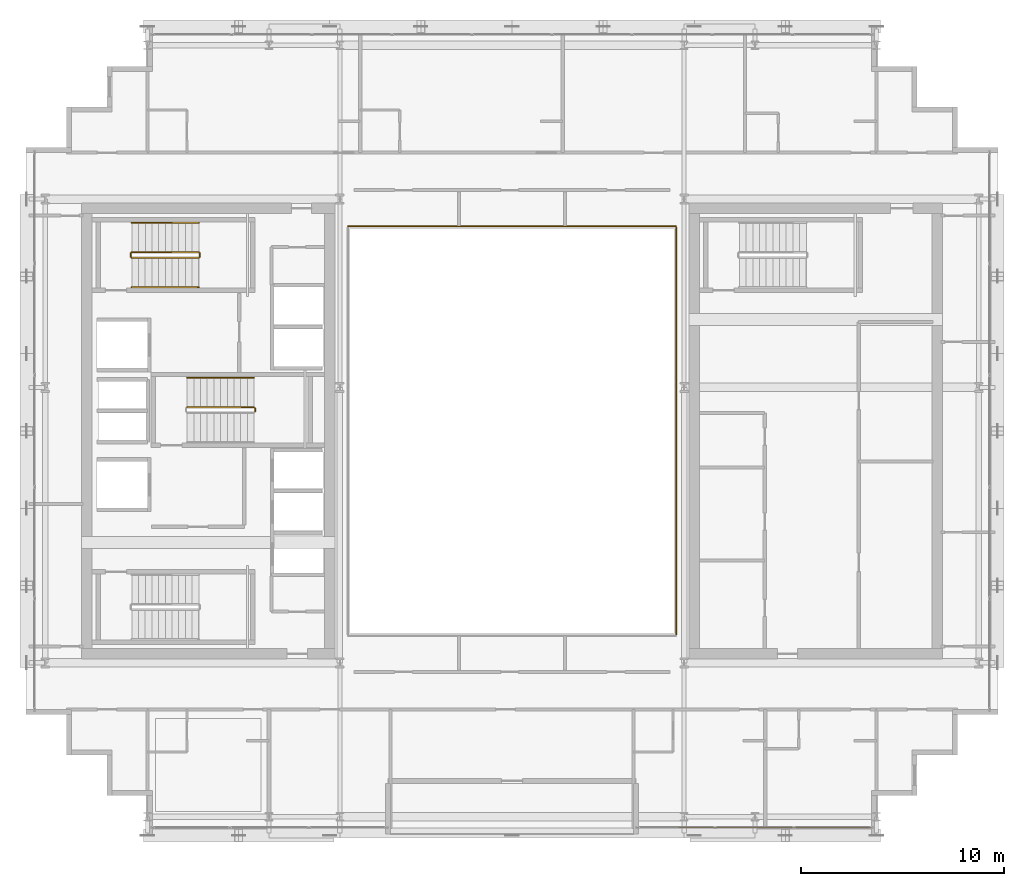
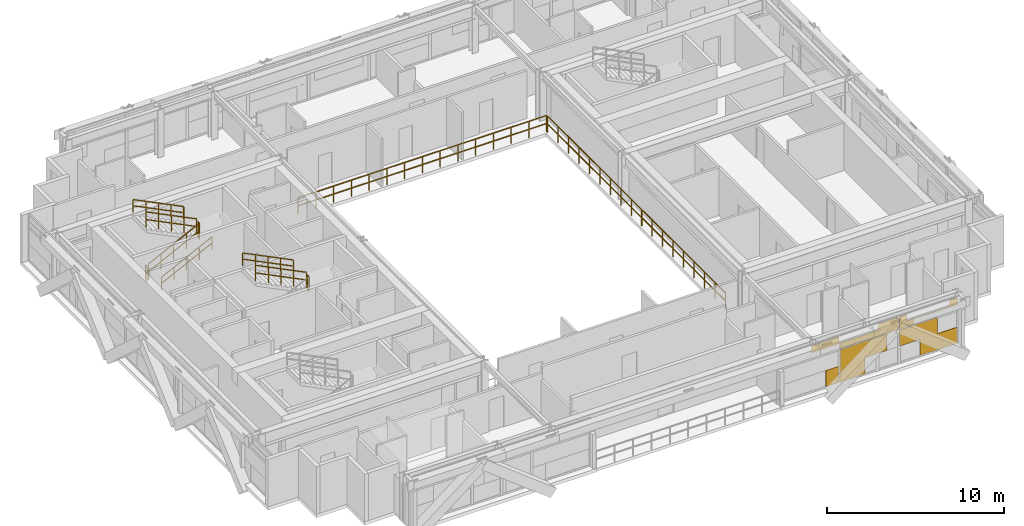
# One storey, part 30 of 32: 11 railings, 1 covering.
"""IFC4 building model written with IfcOpenShell, lengths in metres."""

from ifc_helpers import new_model, si_unit, direction, frame, origin, origin_2d, place, context, subcontext, project, spatial, rectangle, extrude, material, layer, layer_set, type_object, element, save


model = new_model("IFC4")

# Units and contexts
model_context = context("Model", 3, precision=1e-05, world=origin(), true_north=direction((0.0, 1.0)))
body_context = subcontext(model_context, "Body", "Model", "MODEL_VIEW")
ifc_project = project(units=[si_unit("LENGTHUNIT", "METRE"), si_unit("AREAUNIT", "SQUARE_METRE"), si_unit("VOLUMEUNIT", "CUBIC_METRE"), si_unit("PLANEANGLEUNIT", "RADIAN"), si_unit("MASSUNIT", "GRAM", prefix="KILO")], contexts=[model_context])

# Site, building, storey
site_placement = place(None, origin())
site = spatial("IfcSite", under=ifc_project, at=site_placement, CompositionType="ELEMENT")
building_placement = place(site_placement, origin())
building = spatial("IfcBuilding", under=site, at=building_placement, Name="Ocotamira Hotel", CompositionType="ELEMENT")
storey_placement = place(building_placement, frame((0.0, 0.0, 217.199951171875)))
storey = spatial("IfcBuildingStorey", under=building, at=storey_placement, Name="L55", CompositionType="ELEMENT", Elevation=217.199951171875)

# Covering
ifc_material_1 = material(Name="Insulated pale-metal aluminium spandrel panel", Category="aluminium")
ifc_layer = layer(ifc_material_1, 0.044921875)
ifc_layer_set = layer_set([ifc_layer], Name="Insulated pale-metal aluminium spandrel panel")
covering_type = type_object("IfcCoveringType", Name="COV-INFILL-45", PredefinedType="CLADDING", material=ifc_layer_set)
covering_placement = place(storey_placement, origin())
element("IfcCovering", 1, at=covering_placement, inside=storey, type_object=covering_type, Name="L55 Curtain Wall Infill CW-4 CW-L55-S2", PredefinedType="CLADDING", context=body_context, shape_type="SweptSolid", body=[
    extrude(rectangle(XDim=0.849853515625, YDim=0.044921875, at=origin_2d()), frame((41.56787109375, 6.419921875, 0.07568359375), z_axis=(0.0, 0.0, 1.0), x_axis=(1.0, 0.0, 0.0)), (0.0, 0.0, 1.0), 1.117919921875),
    extrude(rectangle(XDim=1.768310546875, YDim=0.044921875, at=origin_2d()), frame((41.108642578125, 6.419921875, 2.7421875), z_axis=(0.0, 0.0, 1.0), x_axis=(1.0, 0.0, 0.0)), (0.0, 0.0, 1.0), 0.46240234375),
    extrude(rectangle(XDim=1.640625, YDim=0.044921875, at=origin_2d()), frame((42.89404296875, 6.419921875, 0.07568359375), z_axis=(0.0, 0.0, 1.0), x_axis=(1.0, 0.0, 0.0)), (0.0, 0.0, 1.0), 1.117919921875),
    extrude(rectangle(XDim=3.074951171875, YDim=0.044921875, at=origin_2d()), frame((43.611328125, 6.419921875, 1.1943359375), z_axis=(0.0, 0.0, 1.0), x_axis=(1.0, 0.0, 0.0)), (0.0, 0.0, 1.0), 1.11767578125),
    extrude(rectangle(XDim=3.80224609375, YDim=0.044921875, at=origin_2d()), frame((43.97509765625, 6.419921875, 2.38818359375), z_axis=(0.0, 0.0, 1.0), x_axis=(1.0, 0.0, 0.0)), (0.0, 0.0, 1.0), 0.380859375),
    extrude(rectangle(XDim=1.27880859375, YDim=0.044921875, at=origin_2d()), frame((45.23681640625, 6.419921875, 2.77001953125), z_axis=(0.0, 0.0, 1.0), x_axis=(1.0, 0.0, 0.0)), (0.0, 0.0, 1.0), 0.4345703125),
    extrude(rectangle(XDim=2.465576171875, YDim=0.044921875, at=origin_2d()), frame((47.18994140625, 6.419921875, 1.1943359375), z_axis=(0.0, 0.0, 1.0), x_axis=(1.0, 0.0, 0.0)), (0.0, 0.0, 1.0), 1.11767578125),
    extrude(rectangle(XDim=2.433837890625, YDim=0.044921875, at=origin_2d()), frame((48.50244140625, 6.419921875, 0.07568359375), z_axis=(0.0, 0.0, 1.0), x_axis=(1.0, 0.0, 0.0)), (0.0, 0.0, 1.0), 1.117919921875),
    extrude(rectangle(XDim=0.93505859375, YDim=0.044921875, at=origin_2d()), frame((46.4248046875, 6.419921875, 2.38818359375), z_axis=(0.0, 0.0, 1.0), x_axis=(1.0, 0.0, 0.0)), (0.0, 0.0, 1.0), 0.35302734375),
    extrude(rectangle(XDim=3.76220703125, YDim=0.044921875, at=origin_2d()), frame((47.83837890625, 6.419921875, 2.7421875), z_axis=(0.0, 0.0, 1.0), x_axis=(1.0, 0.0, 0.0)), (0.0, 0.0, 1.0), 0.02685546875),
    extrude(rectangle(XDim=0.445556640625, YDim=0.044921875, at=origin_2d()), frame((46.179931640625, 6.419921875, 2.77001953125), z_axis=(0.0, 0.0, 1.0), x_axis=(1.0, 0.0, 0.0)), (0.0, 0.0, 1.0), 0.4345703125),
    extrude(rectangle(XDim=0.494873046875, YDim=0.044921875, at=origin_2d()), frame((49.471923828125, 6.419921875, 2.77001953125), z_axis=(0.0, 0.0, 1.0), x_axis=(1.0, 0.0, 0.0)), (0.0, 0.0, 1.0), 0.4345703125),
])

# Railings
ifc_material_2 = material(Name="Painted steel stair guardrail", Category="steel")
railing_type_1 = type_object("IfcRailingType", Name="RL-EDGE-1150", PredefinedType="GUARDRAIL", material=ifc_material_2)
railing_1_placement = place(storey_placement, frame((40.1201171875, 15.9599609375, 0.0)))
element("IfcRailing", 2, at=railing_1_placement, inside=storey, type_object=railing_type_1, Name="L55 Central Atrium Edge Guardrail E", PredefinedType="GUARDRAIL", context=body_context, shape_type="SweptSolid", body=[
    extrude(rectangle(XDim=0.048095703125, YDim=0.048095703125, at=origin_2d()), frame((0.0, 0.0, 1.1259765625), z_axis=(0.0, 1.0, 0.0), x_axis=(-1.0, 0.0, 0.0)), (0.0, 0.0, 1.0), 20.080078125),
    extrude(rectangle(XDim=0.048095703125, YDim=0.048095703125, at=origin_2d()), frame((0.0, 0.0, 0.574951171875), z_axis=(0.0, 1.0, 0.0), x_axis=(-1.0, 0.0, 0.0)), (0.0, 0.0, 1.0), 20.080078125),
    extrude(rectangle(XDim=0.0419921875, YDim=0.0419921875, at=origin_2d()), origin(), (0.0, 0.0, 1.0), 1.101806640625),
    extrude(rectangle(XDim=0.0419921875, YDim=0.0419921875, at=origin_2d()), frame((0.0, 1.18115234375, 0.0)), (0.0, 0.0, 1.0), 1.101806640625),
    extrude(rectangle(XDim=0.0419921875, YDim=0.0419921875, at=origin_2d()), frame((0.0, 2.3623046875, 0.0)), (0.0, 0.0, 1.0), 1.101806640625),
    extrude(rectangle(XDim=0.0419921875, YDim=0.0419921875, at=origin_2d()), frame((0.0, 3.54345703125, 0.0)), (0.0, 0.0, 1.0), 1.101806640625),
    extrude(rectangle(XDim=0.0419921875, YDim=0.0419921875, at=origin_2d()), frame((0.0, 4.724609375, 0.0)), (0.0, 0.0, 1.0), 1.101806640625),
    extrude(rectangle(XDim=0.0419921875, YDim=0.0419921875, at=origin_2d()), frame((0.0, 5.906005859375, 0.0)), (0.0, 0.0, 1.0), 1.101806640625),
    extrude(rectangle(XDim=0.0419921875, YDim=0.0419921875, at=origin_2d()), frame((0.0, 7.087158203125, 0.0)), (0.0, 0.0, 1.0), 1.101806640625),
    extrude(rectangle(XDim=0.0419921875, YDim=0.0419921875, at=origin_2d()), frame((0.0, 8.268310546875, 0.0)), (0.0, 0.0, 1.0), 1.101806640625),
    extrude(rectangle(XDim=0.0419921875, YDim=0.0419921875, at=origin_2d()), frame((0.0, 9.449462890625, 0.0)), (0.0, 0.0, 1.0), 1.101806640625),
    extrude(rectangle(XDim=0.0419921875, YDim=0.0419921875, at=origin_2d()), frame((0.0, 10.630615234375, 0.0)), (0.0, 0.0, 1.0), 1.101806640625),
    extrude(rectangle(XDim=0.0419921875, YDim=0.0419921875, at=origin_2d()), frame((0.0, 11.811767578125, 0.0)), (0.0, 0.0, 1.0), 1.101806640625),
    extrude(rectangle(XDim=0.0419921875, YDim=0.0419921875, at=origin_2d()), frame((0.0, 12.992919921875, 0.0)), (0.0, 0.0, 1.0), 1.101806640625),
    extrude(rectangle(XDim=0.0419921875, YDim=0.0419921875, at=origin_2d()), frame((0.0, 14.174072265625, 0.0)), (0.0, 0.0, 1.0), 1.101806640625),
    extrude(rectangle(XDim=0.0419921875, YDim=0.0419921875, at=origin_2d()), frame((0.0, 15.35546875, 0.0)), (0.0, 0.0, 1.0), 1.101806640625),
    extrude(rectangle(XDim=0.0419921875, YDim=0.0419921875, at=origin_2d()), frame((0.0, 16.53662109375, 0.0)), (0.0, 0.0, 1.0), 1.101806640625),
    extrude(rectangle(XDim=0.0419921875, YDim=0.0419921875, at=origin_2d()), frame((0.0, 17.7177734375, 0.0)), (0.0, 0.0, 1.0), 1.101806640625),
    extrude(rectangle(XDim=0.0419921875, YDim=0.0419921875, at=origin_2d()), frame((0.0, 18.89892578125, 0.0)), (0.0, 0.0, 1.0), 1.101806640625),
    extrude(rectangle(XDim=0.0419921875, YDim=0.0419921875, at=origin_2d()), frame((0.0, 20.080078125, 0.0)), (0.0, 0.0, 1.0), 1.101806640625),
])
railing_2_placement = place(storey_placement, frame((40.10009765625, 36.1201171875, 0.0)))
element("IfcRailing", 3, at=railing_2_placement, inside=storey, type_object=railing_type_1, Name="L55 Central Atrium Edge Guardrail N", PredefinedType="GUARDRAIL", context=body_context, shape_type="SweptSolid", body=[
    extrude(rectangle(XDim=0.048095703125, YDim=0.048095703125, at=origin_2d()), frame((0.0, 0.0, 1.1259765625), z_axis=(-1.0, 0.0, 0.0), x_axis=(0.0, -1.0, 0.0)), (0.0, 0.0, 1.0), 16.2001953125),
    extrude(rectangle(XDim=0.048095703125, YDim=0.048095703125, at=origin_2d()), frame((0.0, 0.0, 0.574951171875), z_axis=(-1.0, 0.0, 0.0), x_axis=(0.0, -1.0, 0.0)), (0.0, 0.0, 1.0), 16.2001953125),
    extrude(rectangle(XDim=0.0419921875, YDim=0.0419921875, at=origin_2d()), origin(), (0.0, 0.0, 1.0), 1.101806640625),
    extrude(rectangle(XDim=0.0419921875, YDim=0.0419921875, at=origin_2d()), frame((-1.1572265625, 0.0, 0.0)), (0.0, 0.0, 1.0), 1.101806640625),
    extrude(rectangle(XDim=0.0419921875, YDim=0.0419921875, at=origin_2d()), frame((-2.314208984375, 0.0, 0.0)), (0.0, 0.0, 1.0), 1.101806640625),
    extrude(rectangle(XDim=0.0419921875, YDim=0.0419921875, at=origin_2d()), frame((-3.471435546875, 0.0, 0.0)), (0.0, 0.0, 1.0), 1.101806640625),
    extrude(rectangle(XDim=0.0419921875, YDim=0.0419921875, at=origin_2d()), frame((-4.628662109375, 0.0, 0.0)), (0.0, 0.0, 1.0), 1.101806640625),
    extrude(rectangle(XDim=0.0419921875, YDim=0.0419921875, at=origin_2d()), frame((-5.785888671875, 0.0, 0.0)), (0.0, 0.0, 1.0), 1.101806640625),
    extrude(rectangle(XDim=0.0419921875, YDim=0.0419921875, at=origin_2d()), frame((-6.94287109375, 0.0, 0.0)), (0.0, 0.0, 1.0), 1.101806640625),
    extrude(rectangle(XDim=0.0419921875, YDim=0.0419921875, at=origin_2d()), frame((-8.10009765625, 0.0, 0.0)), (0.0, 0.0, 1.0), 1.101806640625),
    extrude(rectangle(XDim=0.0419921875, YDim=0.0419921875, at=origin_2d()), frame((-9.25732421875, 0.0, 0.0)), (0.0, 0.0, 1.0), 1.101806640625),
    extrude(rectangle(XDim=0.0419921875, YDim=0.0419921875, at=origin_2d()), frame((-10.414306640625, 0.0, 0.0)), (0.0, 0.0, 1.0), 1.101806640625),
    extrude(rectangle(XDim=0.0419921875, YDim=0.0419921875, at=origin_2d()), frame((-11.571533203125, 0.0, 0.0)), (0.0, 0.0, 1.0), 1.101806640625),
    extrude(rectangle(XDim=0.0419921875, YDim=0.0419921875, at=origin_2d()), frame((-12.728759765625, 0.0, 0.0)), (0.0, 0.0, 1.0), 1.101806640625),
    extrude(rectangle(XDim=0.0419921875, YDim=0.0419921875, at=origin_2d()), frame((-13.885986328125, 0.0, 0.0)), (0.0, 0.0, 1.0), 1.101806640625),
    extrude(rectangle(XDim=0.0419921875, YDim=0.0419921875, at=origin_2d()), frame((-15.04296875, 0.0, 0.0)), (0.0, 0.0, 1.0), 1.101806640625),
    extrude(rectangle(XDim=0.0419921875, YDim=0.0419921875, at=origin_2d()), frame((-16.2001953125, 0.0, 0.0)), (0.0, 0.0, 1.0), 1.101806640625),
])
ifc_material_3 = material(Name="Brushed stainless steel handrail", Category="steel")
railing_type_2 = type_object("IfcRailingType", Name="RL-HAND-900", PredefinedType="HANDRAIL", material=ifc_material_3)
railing_3_placement = place(storey_placement, frame((13.22998046875, 33.10009765625, 0.327392578125)))
element("IfcRailing", 4, at=railing_3_placement, inside=storey, type_object=railing_type_2, Name="L55 ST-2 stair handrail 1", PredefinedType="HANDRAIL", context=body_context, shape_type="SweptSolid", body=[
    extrude(rectangle(XDim=0.048095703125, YDim=0.048095703125, at=origin_2d()), frame((0.0, 0.0, 0.8759765625), z_axis=(0.895920123917, 0.0, 0.444215186098), x_axis=(0.0, 1.0, 0.0)), (0.0, 0.0, 1.0), 3.683349609375),
    extrude(rectangle(XDim=0.048095703125, YDim=0.048095703125, at=origin_2d()), frame((0.0, 0.0, 0.449951171875), z_axis=(0.895920123917, 0.0, 0.444215186098), x_axis=(0.0, 1.0, 0.0)), (0.0, 0.0, 1.0), 3.683349609375),
    extrude(rectangle(XDim=0.0419921875, YDim=0.0419921875, at=origin_2d()), origin(), (0.0, 0.0, 1.0), 0.851806640625),
    extrude(rectangle(XDim=0.0419921875, YDim=0.0419921875, at=origin_2d()), frame((0.824951171875, 0.0, 0.4091796875)), (0.0, 0.0, 1.0), 0.851806640625),
    extrude(rectangle(XDim=0.0419921875, YDim=0.0419921875, at=origin_2d()), frame((1.64990234375, 0.0, 0.818115234375)), (0.0, 0.0, 1.0), 0.851806640625),
    extrude(rectangle(XDim=0.0419921875, YDim=0.0419921875, at=origin_2d()), frame((2.47509765625, 0.0, 1.22705078125)), (0.0, 0.0, 1.0), 0.851806640625),
    extrude(rectangle(XDim=0.0419921875, YDim=0.0419921875, at=origin_2d()), frame((3.300048828125, 0.0, 1.63623046875)), (0.0, 0.0, 1.0), 0.851806640625),
])
for number, where, name in (
    (5, (16.530029296875, 36.280029296875, 2.12744140625), "L55 ST-2 stair handrail 2"),
    (6, (19.260009765625, 28.6298828125, 2.12744140625), "L55 ST-3 stair handrail 2"),
):
    element("IfcRailing", number, at=place(storey_placement, frame(where)), inside=storey, type_object=railing_type_2, Name=name, PredefinedType="HANDRAIL", context=body_context, shape_type="SweptSolid", body=[
        extrude(rectangle(XDim=0.048095703125, YDim=0.048095703125, at=origin_2d()), frame((0.0, 0.0, 0.8759765625), z_axis=(-0.895920123917, 0.0, 0.444215186098), x_axis=(0.0, -1.0, 0.0)), (0.0, 0.0, 1.0), 3.683349609375),
        extrude(rectangle(XDim=0.048095703125, YDim=0.048095703125, at=origin_2d()), frame((0.0, 0.0, 0.449951171875), z_axis=(-0.895920123917, 0.0, 0.444215186098), x_axis=(0.0, -1.0, 0.0)), (0.0, 0.0, 1.0), 3.683349609375),
        extrude(rectangle(XDim=0.0419921875, YDim=0.0419921875, at=origin_2d()), origin(), (0.0, 0.0, 1.0), 0.851806640625),
        extrude(rectangle(XDim=0.0419921875, YDim=0.0419921875, at=origin_2d()), frame((-0.824951171875, 0.0, 0.4091796875)), (0.0, 0.0, 1.0), 0.851806640625),
        extrude(rectangle(XDim=0.0419921875, YDim=0.0419921875, at=origin_2d()), frame((-1.64990234375, 0.0, 0.818115234375)), (0.0, 0.0, 1.0), 0.851806640625),
        extrude(rectangle(XDim=0.0419921875, YDim=0.0419921875, at=origin_2d()), frame((-2.47509765625, 0.0, 1.22705078125)), (0.0, 0.0, 1.0), 0.851806640625),
        extrude(rectangle(XDim=0.0419921875, YDim=0.0419921875, at=origin_2d()), frame((-3.300048828125, 0.0, 1.63623046875)), (0.0, 0.0, 1.0), 0.851806640625),
    ])
railing_type_3 = type_object("IfcRailingType", Name="RL-STAIR-1100", PredefinedType="GUARDRAIL", material=ifc_material_2)
railing_4_placement = place(storey_placement, frame((13.22998046875, 34.56005859375, 0.16357421875)))
element("IfcRailing", 7, at=railing_4_placement, inside=storey, type_object=railing_type_3, Name="L55 ST-2 stair guard 1", PredefinedType="GUARDRAIL", context=body_context, shape_type="SweptSolid", body=[
    extrude(rectangle(XDim=0.048095703125, YDim=0.048095703125, at=origin_2d()), frame((0.0, 0.0, 1.076171875), z_axis=(0.895893744519, 0.0, 0.4442683857), x_axis=(0.0, 1.0, 0.0)), (0.0, 0.0, 1.0), 3.68359375),
    extrude(rectangle(XDim=0.048095703125, YDim=0.048095703125, at=origin_2d()), frame((0.0, 0.0, 0.550048828125), z_axis=(0.895893744519, 0.0, 0.4442683857), x_axis=(0.0, 1.0, 0.0)), (0.0, 0.0, 1.0), 3.68359375),
    extrude(rectangle(XDim=0.0419921875, YDim=0.0419921875, at=origin_2d()), origin(), (0.0, 0.0, 1.0), 1.052001953125),
    extrude(rectangle(XDim=0.0419921875, YDim=0.0419921875, at=origin_2d()), frame((0.824951171875, 0.0, 0.4091796875)), (0.0, 0.0, 1.0), 1.052001953125),
    extrude(rectangle(XDim=0.0419921875, YDim=0.0419921875, at=origin_2d()), frame((1.64990234375, 0.0, 0.818359375)), (0.0, 0.0, 1.0), 1.052001953125),
    extrude(rectangle(XDim=0.0419921875, YDim=0.0419921875, at=origin_2d()), frame((2.47509765625, 0.0, 1.227294921875)), (0.0, 0.0, 1.0), 1.052001953125),
    extrude(rectangle(XDim=0.0419921875, YDim=0.0419921875, at=origin_2d()), frame((3.300048828125, 0.0, 1.636474609375)), (0.0, 0.0, 1.0), 1.052001953125),
])
railing_5_placement = place(storey_placement, frame((16.580078125, 34.610107421875, 1.800048828125)))
element("IfcRailing", 8, at=railing_5_placement, inside=storey, type_object=railing_type_3, Name="L55 ST-2 stair guard 2", PredefinedType="GUARDRAIL", context=body_context, shape_type="SweptSolid", body=[
    extrude(rectangle(XDim=0.048095703125, YDim=0.048095703125, at=origin_2d()), frame((0.0, 0.0, 1.076171875), z_axis=(0.0, 1.0, 0.0), x_axis=(-1.0, 0.0, 0.0)), (0.0, 0.0, 1.0), 0.159912109375),
    extrude(rectangle(XDim=0.048095703125, YDim=0.048095703125, at=origin_2d()), frame((0.0, 0.0, 0.550048828125), z_axis=(0.0, 1.0, 0.0), x_axis=(-1.0, 0.0, 0.0)), (0.0, 0.0, 1.0), 0.159912109375),
    extrude(rectangle(XDim=0.0419921875, YDim=0.0419921875, at=origin_2d()), origin(), (0.0, 0.0, 1.0), 1.052001953125),
    extrude(rectangle(XDim=0.0419921875, YDim=0.0419921875, at=origin_2d()), frame((0.0, 0.159912109375, 0.0)), (0.0, 0.0, 1.0), 1.052001953125),
])
railing_6_placement = place(storey_placement, frame((16.530029296875, 34.820068359375, 1.963623046875)))
element("IfcRailing", 9, at=railing_6_placement, inside=storey, type_object=railing_type_3, Name="L55 ST-2 stair guard 3", PredefinedType="GUARDRAIL", context=body_context, shape_type="SweptSolid", body=[
    extrude(rectangle(XDim=0.048095703125, YDim=0.048095703125, at=origin_2d()), frame((0.0, 0.0, 1.076171875), z_axis=(-0.895893744519, 0.0, 0.4442683857), x_axis=(0.0, -1.0, 0.0)), (0.0, 0.0, 1.0), 3.68359375),
    extrude(rectangle(XDim=0.048095703125, YDim=0.048095703125, at=origin_2d()), frame((0.0, 0.0, 0.550048828125), z_axis=(-0.895893744519, 0.0, 0.4442683857), x_axis=(0.0, -1.0, 0.0)), (0.0, 0.0, 1.0), 3.68359375),
    extrude(rectangle(XDim=0.0419921875, YDim=0.0419921875, at=origin_2d()), origin(), (0.0, 0.0, 1.0), 1.052001953125),
    extrude(rectangle(XDim=0.0419921875, YDim=0.0419921875, at=origin_2d()), frame((-0.824951171875, 0.0, 0.4091796875)), (0.0, 0.0, 1.0), 1.052001953125),
    extrude(rectangle(XDim=0.0419921875, YDim=0.0419921875, at=origin_2d()), frame((-1.64990234375, 0.0, 0.818359375)), (0.0, 0.0, 1.0), 1.052001953125),
    extrude(rectangle(XDim=0.0419921875, YDim=0.0419921875, at=origin_2d()), frame((-2.47509765625, 0.0, 1.227294921875)), (0.0, 0.0, 1.0), 1.052001953125),
    extrude(rectangle(XDim=0.0419921875, YDim=0.0419921875, at=origin_2d()), frame((-3.300048828125, 0.0, 1.636474609375)), (0.0, 0.0, 1.0), 1.052001953125),
])
railing_7_placement = place(storey_placement, frame((13.179931640625, 34.610107421875, 0.0)))
element("IfcRailing", 10, at=railing_7_placement, inside=storey, type_object=railing_type_3, Name="L55 ST-2 stair guard 4", PredefinedType="GUARDRAIL", context=body_context, shape_type="SweptSolid", body=[
    extrude(rectangle(XDim=0.048095703125, YDim=0.048095703125, at=origin_2d()), frame((0.0, 0.0, 1.076171875), z_axis=(0.0, 1.0, 0.0), x_axis=(-1.0, 0.0, 0.0)), (0.0, 0.0, 1.0), 0.159912109375),
    extrude(rectangle(XDim=0.048095703125, YDim=0.048095703125, at=origin_2d()), frame((0.0, 0.0, 0.550048828125), z_axis=(0.0, 1.0, 0.0), x_axis=(-1.0, 0.0, 0.0)), (0.0, 0.0, 1.0), 0.159912109375),
    extrude(rectangle(XDim=0.0419921875, YDim=0.0419921875, at=origin_2d()), origin(), (0.0, 0.0, 1.0), 1.052001953125),
    extrude(rectangle(XDim=0.0419921875, YDim=0.0419921875, at=origin_2d()), frame((0.0, 0.159912109375, 0.0)), (0.0, 0.0, 1.0), 1.052001953125),
])
railing_8_placement = place(storey_placement, frame((19.31005859375, 26.9599609375, 1.800048828125)))
element("IfcRailing", 11, at=railing_8_placement, inside=storey, type_object=railing_type_3, Name="L55 ST-3 stair guard 2", PredefinedType="GUARDRAIL", context=body_context, shape_type="SweptSolid", body=[
    extrude(rectangle(XDim=0.048095703125, YDim=0.048095703125, at=origin_2d()), frame((0.0, 0.0, 1.076171875), z_axis=(0.0, 1.0, 0.0), x_axis=(-1.0, 0.0, 0.0)), (0.0, 0.0, 1.0), 0.16015625),
    extrude(rectangle(XDim=0.048095703125, YDim=0.048095703125, at=origin_2d()), frame((0.0, 0.0, 0.550048828125), z_axis=(0.0, 1.0, 0.0), x_axis=(-1.0, 0.0, 0.0)), (0.0, 0.0, 1.0), 0.16015625),
    extrude(rectangle(XDim=0.0419921875, YDim=0.0419921875, at=origin_2d()), origin(), (0.0, 0.0, 1.0), 1.052001953125),
    extrude(rectangle(XDim=0.0419921875, YDim=0.0419921875, at=origin_2d()), frame((0.0, 0.16015625, 0.0)), (0.0, 0.0, 1.0), 1.052001953125),
])
railing_9_placement = place(storey_placement, frame((19.260009765625, 27.169921875, 1.963623046875)))
element("IfcRailing", 12, at=railing_9_placement, inside=storey, type_object=railing_type_3, Name="L55 ST-3 stair guard 3", PredefinedType="GUARDRAIL", context=body_context, shape_type="SweptSolid", body=[
    extrude(rectangle(XDim=0.048095703125, YDim=0.048095703125, at=origin_2d()), frame((0.0, 0.0, 1.076171875), z_axis=(-0.895893744519, 0.0, 0.4442683857), x_axis=(0.0, -1.0, 0.0)), (0.0, 0.0, 1.0), 3.68359375),
    extrude(rectangle(XDim=0.048095703125, YDim=0.048095703125, at=origin_2d()), frame((0.0, 0.0, 0.550048828125), z_axis=(-0.895893744519, 0.0, 0.4442683857), x_axis=(0.0, -1.0, 0.0)), (0.0, 0.0, 1.0), 3.68359375),
    extrude(rectangle(XDim=0.0419921875, YDim=0.0419921875, at=origin_2d()), origin(), (0.0, 0.0, 1.0), 1.052001953125),
    extrude(rectangle(XDim=0.0419921875, YDim=0.0419921875, at=origin_2d()), frame((-0.824951171875, 0.0, 0.4091796875)), (0.0, 0.0, 1.0), 1.052001953125),
    extrude(rectangle(XDim=0.0419921875, YDim=0.0419921875, at=origin_2d()), frame((-1.64990234375, 0.0, 0.818359375)), (0.0, 0.0, 1.0), 1.052001953125),
    extrude(rectangle(XDim=0.0419921875, YDim=0.0419921875, at=origin_2d()), frame((-2.47509765625, 0.0, 1.227294921875)), (0.0, 0.0, 1.0), 1.052001953125),
    extrude(rectangle(XDim=0.0419921875, YDim=0.0419921875, at=origin_2d()), frame((-3.300048828125, 0.0, 1.636474609375)), (0.0, 0.0, 1.0), 1.052001953125),
])

save(model, "model.ifc")
